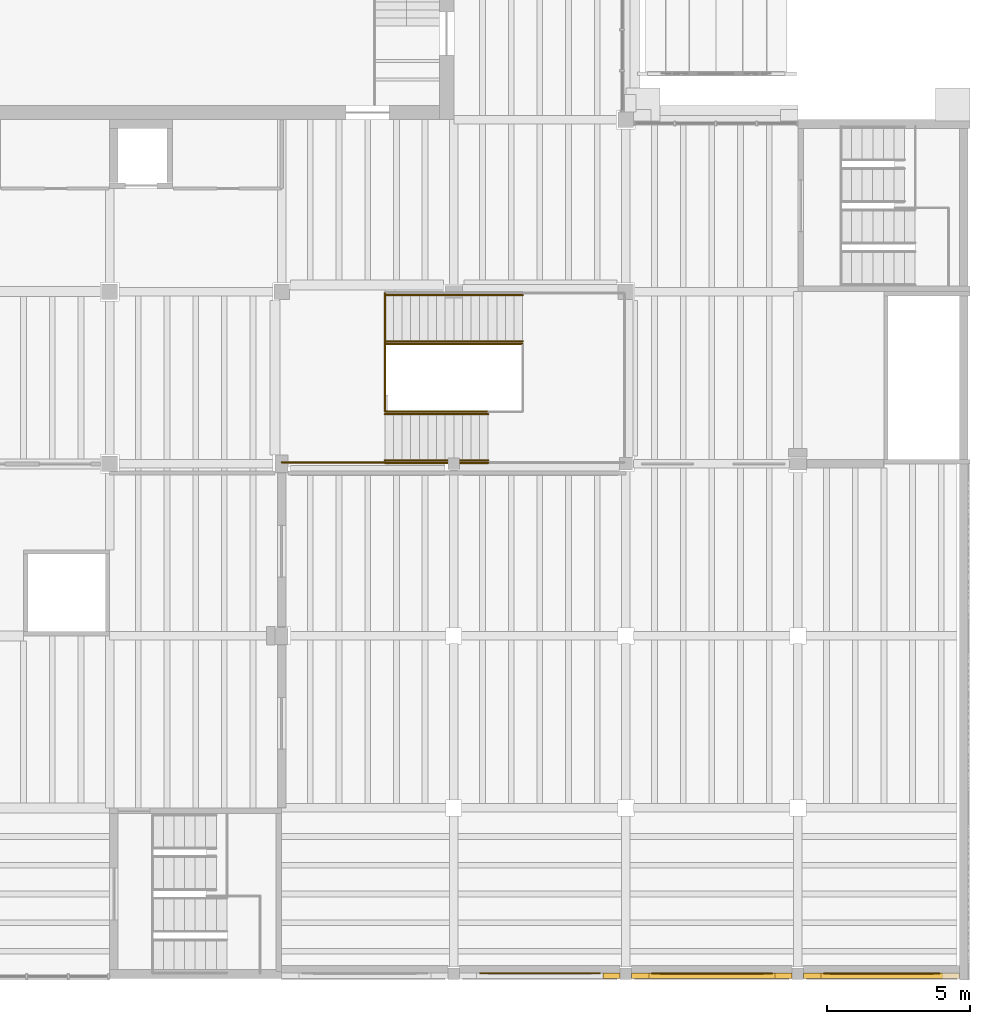
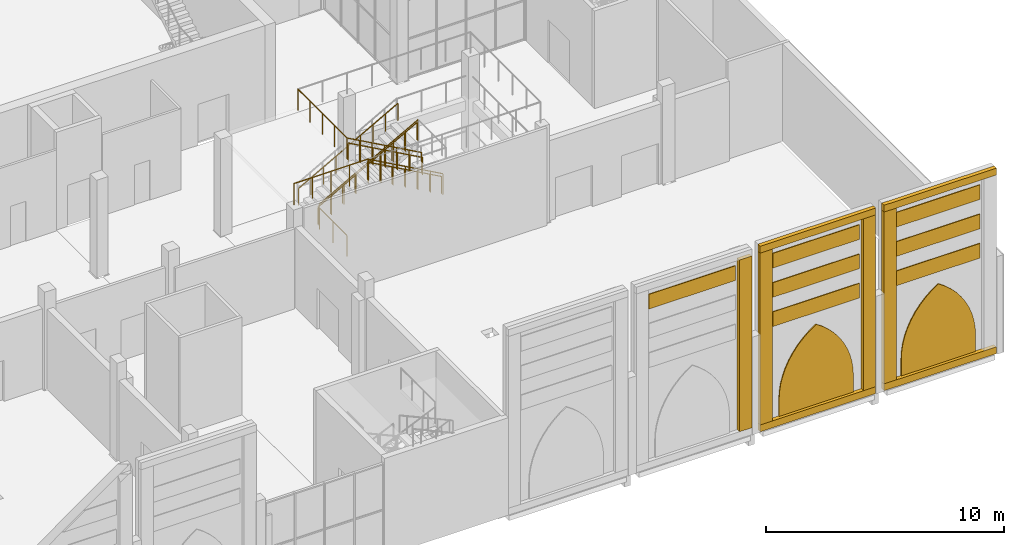
# One storey, part 61 of 80: 17 coverings, 10 railings.
"""IFC4 building model written with IfcOpenShell, lengths in metres."""

from ifc_helpers import new_model, si_unit, direction, frame, origin, origin_2d, place, context, subcontext, project, spatial, polyline, rectangle, circle, outline, extrude, material, layer, layer_set, type_object, element, save


model = new_model("IFC4")

# Units and contexts
model_context = context("Model", 3, precision=1e-05, world=origin(), true_north=direction((0.0, 1.0)))
body_context = subcontext(model_context, "Body", "Model", "MODEL_VIEW")
ifc_project = project(units=[si_unit("LENGTHUNIT", "METRE"), si_unit("AREAUNIT", "SQUARE_METRE"), si_unit("VOLUMEUNIT", "CUBIC_METRE"), si_unit("PLANEANGLEUNIT", "RADIAN"), si_unit("MASSUNIT", "GRAM", prefix="KILO")], contexts=[model_context])

# Site, building, storey
site_placement = place(None, origin())
site = spatial("IfcSite", under=ifc_project, at=site_placement, CompositionType="ELEMENT")
building_placement = place(site_placement, origin())
building = spatial("IfcBuilding", under=site, at=building_placement, Name="Saffron Lane Theatres", CompositionType="ELEMENT")
storey_placement = place(building_placement, frame((0.0, 0.0, 7.0)))
storey = spatial("IfcBuildingStorey", under=building, at=storey_placement, Name="L01", CompositionType="ELEMENT", Elevation=7.0)

# Coverings
ifc_material_1 = material(Name="Masonry pale clay brick", Category="masonry")
ifc_layer_1 = layer(ifc_material_1, 0.050048828125)
ifc_layer_set_1 = layer_set([ifc_layer_1], Name="Masonry pale clay brick")
covering_type_1 = type_object("IfcCoveringType", Name="EX-ARCH PANEL BRICK 50", PredefinedType="CLADDING", material=ifc_layer_set_1)
covering_1_placement = place(storey_placement, frame((64.719970703125, 0.25, 1.199951171875), z_axis=(0.0, 1.0, 0.0), x_axis=(0.0, 0.0, -1.0)))
element("IfcCovering", 1, at=covering_1_placement, inside=storey, type_object=covering_type_1, Name="Blind arch panel 3", PredefinedType="CLADDING", context=body_context, shape_type="SweptSolid", body=[
    extrude(outline(polyline([(0.0, 0.0), (0.89990234375, 0.0), (0.89990234375, 3.599853515625), (0.0, 3.599853515625), (-0.385986328125, 3.580078125), (-0.76904296875, 3.52197265625), (-1.14306640625, 3.425048828125), (-1.506103515625, 3.2900390625), (-1.85302734375, 3.119873046875), (-2.18115234375, 2.9150390625), (-2.487060546875, 2.677978515625), (-2.76708984375, 2.410888671875), (-3.01904296875, 2.117919921875), (-3.239990234375, 1.800048828125), (-3.01904296875, 1.48193359375), (-2.76708984375, 1.18896484375), (-2.487060546875, 0.921875), (-2.18115234375, 0.68505859375), (-1.85302734375, 0.47998046875), (-1.506103515625, 0.31005859375), (-1.14306640625, 0.175048828125), (-0.76904296875, 0.077880859375), (-0.385986328125, 0.02001953125), (0.0, 0.0)])), origin(), (0.0, 0.0, -1.0), 0.050048828125),
])
covering_2_placement = place(storey_placement, frame((58.800048828125, 0.25, 1.199951171875), z_axis=(0.0, 1.0, 0.0), x_axis=(0.0, 0.0, -1.0)))
element("IfcCovering", 2, at=covering_2_placement, inside=storey, type_object=covering_type_1, Name="Blind arch panel 4", PredefinedType="CLADDING", context=body_context, shape_type="SweptSolid", body=[
    extrude(outline(polyline([(0.0, 0.0), (0.89990234375, 0.0), (0.89990234375, 3.60009765625), (0.0, 3.60009765625), (-0.385986328125, 3.580078125), (-0.76904296875, 3.52197265625), (-1.14306640625, 3.425048828125), (-1.506103515625, 3.2900390625), (-1.85302734375, 3.1201171875), (-2.18115234375, 2.9150390625), (-2.487060546875, 2.677978515625), (-2.76708984375, 2.4111328125), (-3.01904296875, 2.1181640625), (-3.239990234375, 1.800048828125), (-3.01904296875, 1.48193359375), (-2.76708984375, 1.18896484375), (-2.487060546875, 0.922119140625), (-2.18115234375, 0.68505859375), (-1.85302734375, 0.47998046875), (-1.506103515625, 0.31005859375), (-1.14306640625, 0.175048828125), (-0.76904296875, 0.078125), (-0.385986328125, 0.02001953125), (0.0, 0.0)])), origin(), (0.0, 0.0, -1.0), 0.050048828125),
])
ifc_material_2 = material(Name="Masonry sandstone", Category="masonry")
ifc_layer_2 = layer(ifc_material_2, 0.0400390625)
ifc_layer_set_2 = layer_set([ifc_layer_2], Name="Masonry sandstone")
covering_type_2 = type_object("IfcCoveringType", Name="EX-BANDING COURSE SANDSTONE 40", PredefinedType="CLADDING", material=ifc_layer_set_2)
for number, where, z_axis, x_axis, name in (
    (3, (62.919921875, 0.22998046875, 5.050048828125), (0.0, 0.0, 1.0), (-1.0, 0.0, 0.0), "Banding course L01"),
    (4, (62.919921875, 0.22998046875, 6.550048828125), (0.0, 0.0, 1.0), (-1.0, 0.0, 0.0), "Banding course L01"),
    (5, (62.919921875, 0.22998046875, 8.050048828125), (0.0, 0.0, 1.0), (-1.0, 0.0, 0.0), "Banding course L01"),
):
    element("IfcCovering", number, at=place(storey_placement, frame(where, z_axis=z_axis, x_axis=x_axis)), inside=storey, type_object=covering_type_2, Name=name, PredefinedType="CLADDING", context=body_context, shape_type="SweptSolid", body=[
        extrude(rectangle(XDim=4.0400390625, YDim=0.0400390625, at=origin_2d()), origin(), (0.0, 0.0, 1.0), 0.75),
    ])
for number, where, z_axis, x_axis, name in (
    (6, (57.0, 0.22998046875, 5.050048828125), (0.0, 0.0, 1.0), (-1.0, 0.0, 0.0), "Banding course L01"),
    (7, (57.0, 0.22998046875, 6.550048828125), (0.0, 0.0, 1.0), (-1.0, 0.0, 0.0), "Banding course L01"),
    (8, (57.0, 0.22998046875, 8.050048828125), (0.0, 0.0, 1.0), (-1.0, 0.0, 0.0), "Banding course L01"),
    (9, (51.0, 0.22998046875, 8.050048828125), (0.0, 0.0, 1.0), (-1.0, 0.0, 0.0), "Banding course L01"),
):
    element("IfcCovering", number, at=place(storey_placement, frame(where, z_axis=z_axis, x_axis=x_axis)), inside=storey, type_object=covering_type_2, Name=name, PredefinedType="CLADDING", context=body_context, shape_type="SweptSolid", body=[
        extrude(rectangle(XDim=4.199951171875, YDim=0.0400390625, at=origin_2d()), origin(), (0.0, 0.0, 1.0), 0.75),
    ])
ifc_material_3 = material(Name="Masonry sandstone", Category="masonry")
ifc_layer_3 = layer(ifc_material_3, 0.14990234375)
ifc_layer_set_3 = layer_set([ifc_layer_3], Name="Masonry sandstone")
covering_type_3 = type_object("IfcCoveringType", Name="EX-PILASTER STRIP SANDSTONE 600", PredefinedType="CLADDING", material=ifc_layer_set_3)
for number, where, z_axis, x_axis, name in (
    (10, (60.5, 0.155029296875, 0.35009765625), (0.0, 0.0, 1.0), (-1.0, 0.0, 0.0), "Pilaster strip L01"),
    (11, (59.5, 0.155029296875, 0.35009765625), (0.0, 0.0, 1.0), (-1.0, 0.0, 0.0), "Pilaster strip L01"),
    (12, (54.5, 0.155029296875, 0.35009765625), (0.0, 0.0, 1.0), (-1.0, 0.0, 0.0), "Pilaster strip L01"),
    (13, (53.5, 0.155029296875, 0.35009765625), (0.0, 0.0, 1.0), (-1.0, 0.0, 0.0), "Pilaster strip L01"),
):
    element("IfcCovering", number, at=place(storey_placement, frame(where, z_axis=z_axis, x_axis=x_axis)), inside=storey, type_object=covering_type_3, Name=name, PredefinedType="CLADDING", context=body_context, shape_type="SweptSolid", body=[
        extrude(rectangle(XDim=0.60009765625, YDim=0.18994140625, at=origin_2d()), origin(), (0.0, 0.0, 1.0), 8.800048828125),
    ])
ifc_material_4 = material(Name="Masonry sandstone", Category="masonry")
ifc_layer_4 = layer(ifc_material_4, 0.14990234375)
ifc_layer_set_4 = layer_set([ifc_layer_4], Name="Masonry sandstone")
covering_type_4 = type_object("IfcCoveringType", Name="EX-STRING COURSE AND CORNICE SANDSTONE 350", PredefinedType="CLADDING", material=ifc_layer_set_4)
for number, where, z_axis, x_axis, name in (
    (14, (62.919921875, 0.155029296875, 0.0), (0.0, 0.0, 1.0), (-1.0, 0.0, 0.0), "String course L01"),
    (15, (62.919921875, 0.155029296875, 9.14990234375), (0.0, 0.0, 1.0), (-1.0, 0.0, 0.0), "Cornice L01"),
):
    element("IfcCovering", number, at=place(storey_placement, frame(where, z_axis=z_axis, x_axis=x_axis)), inside=storey, type_object=covering_type_4, Name=name, PredefinedType="CLADDING", context=body_context, shape_type="SweptSolid", body=[
        extrude(rectangle(XDim=5.43994140625, YDim=0.18994140625, at=origin_2d()), origin(), (0.0, 0.0, 1.0), 0.35009765625),
    ])
for number, where, z_axis, x_axis, name in (
    (16, (57.0, 0.155029296875, 0.0), (0.0, 0.0, 1.0), (-1.0, 0.0, 0.0), "String course L01"),
    (17, (57.0, 0.155029296875, 9.14990234375), (0.0, 0.0, 1.0), (-1.0, 0.0, 0.0), "Cornice L01"),
):
    element("IfcCovering", number, at=place(storey_placement, frame(where, z_axis=z_axis, x_axis=x_axis)), inside=storey, type_object=covering_type_4, Name=name, PredefinedType="CLADDING", context=body_context, shape_type="SweptSolid", body=[
        extrude(rectangle(XDim=5.60009765625, YDim=0.18994140625, at=origin_2d()), origin(), (0.0, 0.0, 1.0), 0.35009765625),
    ])

# Railings
ifc_material_5 = material(Name="Steel Grade 350", Category="steel")
railing_type_1 = type_object("IfcRailingType", Name="VC-GUARD 1100", PredefinedType="GUARDRAIL", material=ifc_material_5)
railing_1_placement = place(storey_placement, frame((45.60009765625, 22.179931640625, 0.166748046875)))
element("IfcRailing", 18, at=railing_1_placement, inside=storey, type_object=railing_type_1, Name="Studio Foyer Stair flight guard 2.1b", PredefinedType="GUARDRAIL", context=body_context, shape_type="SweptSolid", body=[
    extrude(circle(Radius=0.02392578125, at=origin_2d()), frame((0.0, 0.0, 1.076171875), z_axis=(0.874157276122, 0.0, 0.485642931179), x_axis=(0.0, 1.0, 0.0)), (0.0, 0.0, 1.0), 0.686279296875),
    extrude(circle(Radius=0.02392578125, at=origin_2d()), frame((0.599853515625, 0.0, 1.4091796875), z_axis=(0.874241147926, 0.0, 0.485491931212), x_axis=(0.0, 1.0, 0.0)), (0.0, 0.0, 1.0), 0.6865234375),
    extrude(circle(Radius=0.02392578125, at=origin_2d()), frame((1.199951171875, 0.0, 1.74267578125), z_axis=(0.874006220275, 0.0, 0.485914732151), x_axis=(0.0, 1.0, 0.0)), (0.0, 0.0, 1.0), 0.686279296875),
    extrude(circle(Radius=0.02392578125, at=origin_2d()), frame((1.7998046875, 0.0, 2.076171875), z_axis=(0.874241147926, 0.0, 0.485491931212), x_axis=(0.0, 1.0, 0.0)), (0.0, 0.0, 1.0), 0.6865234375),
    extrude(circle(Radius=0.02392578125, at=origin_2d()), frame((2.39990234375, 0.0, 2.4091796875), z_axis=(0.874241147926, 0.0, 0.485491931212), x_axis=(0.0, 1.0, 0.0)), (0.0, 0.0, 1.0), 0.6865234375),
    extrude(circle(Radius=0.02392578125, at=origin_2d()), frame((3.0, 0.0, 2.74267578125), z_axis=(0.874006220275, 0.0, 0.485914732151), x_axis=(0.0, 1.0, 0.0)), (0.0, 0.0, 1.0), 0.686279296875),
    extrude(circle(Radius=0.02392578125, at=origin_2d()), frame((3.599853515625, 0.0, 3.076171875), z_axis=(0.874241147926, 0.0, 0.485491931212), x_axis=(0.0, 1.0, 0.0)), (0.0, 0.0, 1.0), 0.6865234375),
    extrude(circle(Radius=0.02392578125, at=origin_2d()), frame((4.199951171875, 0.0, 3.4091796875), z_axis=(0.874157276122, 0.0, 0.485642931179), x_axis=(0.0, 1.0, 0.0)), (0.0, 0.0, 1.0), 0.686279296875),
    extrude(circle(Radius=0.02099609375, at=origin_2d()), origin(), (0.0, 0.0, 1.0), 1.052001953125),
    extrude(circle(Radius=0.02099609375, at=origin_2d()), frame((0.599853515625, 0.0, 0.333251953125)), (0.0, 0.0, 1.0), 1.052001953125),
    extrude(circle(Radius=0.02099609375, at=origin_2d()), frame((1.199951171875, 0.0, 0.66650390625)), (0.0, 0.0, 1.0), 1.052001953125),
    extrude(circle(Radius=0.02099609375, at=origin_2d()), frame((1.7998046875, 0.0, 1.0)), (0.0, 0.0, 1.0), 1.052001953125),
    extrude(circle(Radius=0.02099609375, at=origin_2d()), frame((2.39990234375, 0.0, 1.333251953125)), (0.0, 0.0, 1.0), 1.052001953125),
    extrude(circle(Radius=0.02099609375, at=origin_2d()), frame((3.0, 0.0, 1.66650390625)), (0.0, 0.0, 1.0), 1.052001953125),
    extrude(circle(Radius=0.02099609375, at=origin_2d()), frame((3.599853515625, 0.0, 2.0)), (0.0, 0.0, 1.0), 1.052001953125),
    extrude(circle(Radius=0.02099609375, at=origin_2d()), frame((4.199951171875, 0.0, 2.333251953125)), (0.0, 0.0, 1.0), 1.052001953125),
    extrude(circle(Radius=0.02099609375, at=origin_2d()), frame((4.7998046875, 0.0, 2.66650390625)), (0.0, 0.0, 1.0), 1.052001953125),
])
railing_2_placement = place(storey_placement, frame((49.199951171875, 19.820068359375, 3.0)))
element("IfcRailing", 19, at=railing_2_placement, inside=storey, type_object=railing_type_1, Name="Studio Foyer Stair flight guard 2.2a", PredefinedType="GUARDRAIL", context=body_context, shape_type="SweptSolid", body=[
    extrude(circle(Radius=0.02392578125, at=origin_2d()), frame((0.0, 0.0, 1.076171875), z_axis=(-0.874157276122, 0.0, 0.485642931179), x_axis=(0.0, -1.0, 0.0)), (0.0, 0.0, 1.0), 0.686279296875),
    extrude(circle(Radius=0.02392578125, at=origin_2d()), frame((-0.599853515625, 0.0, 1.4091796875), z_axis=(-0.874090171491, 0.0, 0.485763699861), x_axis=(0.0, -1.0, 0.0)), (0.0, 0.0, 1.0), 0.6865234375),
    extrude(circle(Radius=0.02392578125, at=origin_2d()), frame((-1.199951171875, 0.0, 1.74267578125), z_axis=(-0.874241147926, 0.0, 0.485491931212), x_axis=(0.0, -1.0, 0.0)), (0.0, 0.0, 1.0), 0.6865234375),
    extrude(circle(Radius=0.02392578125, at=origin_2d()), frame((-1.800048828125, 0.0, 2.076171875), z_axis=(-0.874157276122, 0.0, 0.485642931179), x_axis=(0.0, -1.0, 0.0)), (0.0, 0.0, 1.0), 0.686279296875),
    extrude(circle(Radius=0.02392578125, at=origin_2d()), frame((-2.39990234375, 0.0, 2.4091796875), z_axis=(-0.874090171491, 0.0, 0.485763699861), x_axis=(0.0, -1.0, 0.0)), (0.0, 0.0, 1.0), 0.6865234375),
    extrude(circle(Radius=0.02392578125, at=origin_2d()), frame((-3.0, 0.0, 2.74267578125), z_axis=(-0.874157276122, 0.0, 0.485642931179), x_axis=(0.0, -1.0, 0.0)), (0.0, 0.0, 1.0), 0.686279296875),
    extrude(circle(Radius=0.02099609375, at=origin_2d()), origin(), (0.0, 0.0, 1.0), 1.052001953125),
    extrude(circle(Radius=0.02099609375, at=origin_2d()), frame((-0.599853515625, 0.0, 0.333251953125)), (0.0, 0.0, 1.0), 1.052001953125),
    extrude(circle(Radius=0.02099609375, at=origin_2d()), frame((-1.199951171875, 0.0, 0.666748046875)), (0.0, 0.0, 1.0), 1.052001953125),
    extrude(circle(Radius=0.02099609375, at=origin_2d()), frame((-1.800048828125, 0.0, 1.0)), (0.0, 0.0, 1.0), 1.052001953125),
    extrude(circle(Radius=0.02099609375, at=origin_2d()), frame((-2.39990234375, 0.0, 1.333251953125)), (0.0, 0.0, 1.0), 1.052001953125),
    extrude(circle(Radius=0.02099609375, at=origin_2d()), frame((-3.0, 0.0, 1.666748046875)), (0.0, 0.0, 1.0), 1.052001953125),
    extrude(circle(Radius=0.02099609375, at=origin_2d()), frame((-3.599853515625, 0.0, 2.0)), (0.0, 0.0, 1.0), 1.052001953125),
])
railing_3_placement = place(storey_placement, frame((49.199951171875, 18.030029296875, 3.0)))
element("IfcRailing", 20, at=railing_3_placement, inside=storey, type_object=railing_type_1, Name="Studio Foyer Stair flight guard 2.2b", PredefinedType="GUARDRAIL", context=body_context, shape_type="SweptSolid", body=[
    extrude(circle(Radius=0.02392578125, at=origin_2d()), frame((0.0, 0.0, 1.076171875), z_axis=(-0.874157276122, 0.0, 0.485642931179), x_axis=(0.0, -1.0, 0.0)), (0.0, 0.0, 1.0), 0.686279296875),
    extrude(circle(Radius=0.02392578125, at=origin_2d()), frame((-0.599853515625, 0.0, 1.4091796875), z_axis=(-0.874090171491, 0.0, 0.485763699861), x_axis=(0.0, -1.0, 0.0)), (0.0, 0.0, 1.0), 0.6865234375),
    extrude(circle(Radius=0.02392578125, at=origin_2d()), frame((-1.199951171875, 0.0, 1.74267578125), z_axis=(-0.874241147926, 0.0, 0.485491931212), x_axis=(0.0, -1.0, 0.0)), (0.0, 0.0, 1.0), 0.6865234375),
    extrude(circle(Radius=0.02392578125, at=origin_2d()), frame((-1.800048828125, 0.0, 2.076171875), z_axis=(-0.874157276122, 0.0, 0.485642931179), x_axis=(0.0, -1.0, 0.0)), (0.0, 0.0, 1.0), 0.686279296875),
    extrude(circle(Radius=0.02392578125, at=origin_2d()), frame((-2.39990234375, 0.0, 2.4091796875), z_axis=(-0.874090171491, 0.0, 0.485763699861), x_axis=(0.0, -1.0, 0.0)), (0.0, 0.0, 1.0), 0.6865234375),
    extrude(circle(Radius=0.02392578125, at=origin_2d()), frame((-3.0, 0.0, 2.74267578125), z_axis=(-0.874157276122, 0.0, 0.485642931179), x_axis=(0.0, -1.0, 0.0)), (0.0, 0.0, 1.0), 0.686279296875),
    extrude(circle(Radius=0.02099609375, at=origin_2d()), origin(), (0.0, 0.0, 1.0), 1.052001953125),
    extrude(circle(Radius=0.02099609375, at=origin_2d()), frame((-0.599853515625, 0.0, 0.333251953125)), (0.0, 0.0, 1.0), 1.052001953125),
    extrude(circle(Radius=0.02099609375, at=origin_2d()), frame((-1.199951171875, 0.0, 0.666748046875)), (0.0, 0.0, 1.0), 1.052001953125),
    extrude(circle(Radius=0.02099609375, at=origin_2d()), frame((-1.800048828125, 0.0, 1.0)), (0.0, 0.0, 1.0), 1.052001953125),
    extrude(circle(Radius=0.02099609375, at=origin_2d()), frame((-2.39990234375, 0.0, 1.333251953125)), (0.0, 0.0, 1.0), 1.052001953125),
    extrude(circle(Radius=0.02099609375, at=origin_2d()), frame((-3.0, 0.0, 1.666748046875)), (0.0, 0.0, 1.0), 1.052001953125),
    extrude(circle(Radius=0.02099609375, at=origin_2d()), frame((-3.599853515625, 0.0, 2.0)), (0.0, 0.0, 1.0), 1.052001953125),
])
railing_4_placement = place(storey_placement, frame((45.60009765625, 22.14990234375, 0.0)))
element("IfcRailing", 21, at=railing_4_placement, inside=storey, type_object=railing_type_1, Name="Studio Foyer Stair landing guard 2s-L01-1", PredefinedType="GUARDRAIL", context=body_context, shape_type="SweptSolid", body=[
    extrude(circle(Radius=0.02392578125, at=origin_2d()), frame((0.0, 0.0, 1.076171875), z_axis=(0.0, -1.0, 0.0), x_axis=(1.0, 0.0, 0.0)), (0.0, 0.0, 1.0), 2.2998046875),
    extrude(circle(Radius=0.02099609375, at=origin_2d()), origin(), (0.0, 0.0, 1.0), 1.052001953125),
    extrude(circle(Radius=0.02099609375, at=origin_2d()), frame((0.0, -1.14990234375, 0.0)), (0.0, 0.0, 1.0), 1.052001953125),
    extrude(circle(Radius=0.02099609375, at=origin_2d()), frame((0.0, -2.2998046875, 0.0)), (0.0, 0.0, 1.0), 1.052001953125),
])
railing_5_placement = place(storey_placement, frame((45.60009765625, 23.949951171875, 5.0)))
element("IfcRailing", 22, at=railing_5_placement, inside=storey, type_object=railing_type_1, Name="Studio Foyer Stair landing guard 2s-L02-1", PredefinedType="GUARDRAIL", context=body_context, shape_type="SweptSolid", body=[
    extrude(circle(Radius=0.02392578125, at=origin_2d()), frame((0.0, 0.0, 1.076171875), z_axis=(0.0, -1.0, 0.0), x_axis=(1.0, 0.0, 0.0)), (0.0, 0.0, 1.0), 4.099853515625),
    extrude(circle(Radius=0.02099609375, at=origin_2d()), origin(), (0.0, 0.0, 1.0), 1.052001953125),
    extrude(circle(Radius=0.02099609375, at=origin_2d()), frame((0.0, -1.02490234375, 0.0)), (0.0, 0.0, 1.0), 1.052001953125),
    extrude(circle(Radius=0.02099609375, at=origin_2d()), frame((0.0, -2.0498046875, 0.0)), (0.0, 0.0, 1.0), 1.052001953125),
    extrude(circle(Radius=0.02099609375, at=origin_2d()), frame((0.0, -3.074951171875, 0.0)), (0.0, 0.0, 1.0), 1.052001953125),
    extrude(circle(Radius=0.02099609375, at=origin_2d()), frame((0.0, -4.099853515625, 0.0)), (0.0, 0.0, 1.0), 1.052001953125),
])
railing_6_placement = place(storey_placement, frame((42.0, 18.050048828125, 5.0)))
element("IfcRailing", 23, at=railing_6_placement, inside=storey, type_object=railing_type_1, Name="Studio Foyer Stair landing guard 2l-e-L02", PredefinedType="GUARDRAIL", context=body_context, shape_type="SweptSolid", body=[
    extrude(circle(Radius=0.02392578125, at=origin_2d()), frame((0.0, 0.0, 1.076171875), z_axis=(1.0, 0.0, 0.0), x_axis=(0.0, 1.0, 0.0)), (0.0, 0.0, 1.0), 3.60009765625),
    extrude(circle(Radius=0.02099609375, at=origin_2d()), origin(), (0.0, 0.0, 1.0), 1.052001953125),
    extrude(circle(Radius=0.02099609375, at=origin_2d()), frame((0.89990234375, 0.0, 0.0)), (0.0, 0.0, 1.0), 1.052001953125),
    extrude(circle(Radius=0.02099609375, at=origin_2d()), frame((1.800048828125, 0.0, 0.0)), (0.0, 0.0, 1.0), 1.052001953125),
    extrude(circle(Radius=0.02099609375, at=origin_2d()), frame((2.7001953125, 0.0, 0.0)), (0.0, 0.0, 1.0), 1.052001953125),
    extrude(circle(Radius=0.02099609375, at=origin_2d()), frame((3.60009765625, 0.0, 0.0)), (0.0, 0.0, 1.0), 1.052001953125),
])
ifc_material_6 = material(Name="Steel Grade 350", Category="steel")
railing_type_2 = type_object("IfcRailingType", Name="VC-HANDRAIL 900", PredefinedType="HANDRAIL", material=ifc_material_6)
railing_7_placement = place(storey_placement, frame((45.60009765625, 23.8798828125, 0.166748046875)))
element("IfcRailing", 24, at=railing_7_placement, inside=storey, type_object=railing_type_2, Name="Studio Foyer Stair handrail 2.1a", PredefinedType="HANDRAIL", context=body_context, shape_type="SweptSolid", body=[
    extrude(circle(Radius=0.02392578125, at=origin_2d()), frame((0.0, 0.0, 0.8759765625), z_axis=(0.874157276122, 0.0, 0.485642931179), x_axis=(0.0, 1.0, 0.0)), (0.0, 0.0, 1.0), 0.686279296875),
    extrude(circle(Radius=0.02392578125, at=origin_2d()), frame((0.599853515625, 0.0, 1.208984375), z_axis=(0.874241147926, 0.0, 0.485491931212), x_axis=(0.0, 1.0, 0.0)), (0.0, 0.0, 1.0), 0.6865234375),
    extrude(circle(Radius=0.02392578125, at=origin_2d()), frame((1.199951171875, 0.0, 1.54248046875), z_axis=(0.874006220275, 0.0, 0.485914732151), x_axis=(0.0, 1.0, 0.0)), (0.0, 0.0, 1.0), 0.686279296875),
    extrude(circle(Radius=0.02392578125, at=origin_2d()), frame((1.7998046875, 0.0, 1.8759765625), z_axis=(0.874241147926, 0.0, 0.485491931212), x_axis=(0.0, 1.0, 0.0)), (0.0, 0.0, 1.0), 0.6865234375),
    extrude(circle(Radius=0.02392578125, at=origin_2d()), frame((2.39990234375, 0.0, 2.208984375), z_axis=(0.874241147926, 0.0, 0.485491931212), x_axis=(0.0, 1.0, 0.0)), (0.0, 0.0, 1.0), 0.6865234375),
    extrude(circle(Radius=0.02392578125, at=origin_2d()), frame((3.0, 0.0, 2.54248046875), z_axis=(0.874006220275, 0.0, 0.485914732151), x_axis=(0.0, 1.0, 0.0)), (0.0, 0.0, 1.0), 0.686279296875),
    extrude(circle(Radius=0.02392578125, at=origin_2d()), frame((3.599853515625, 0.0, 2.8759765625), z_axis=(0.874241147926, 0.0, 0.485491931212), x_axis=(0.0, 1.0, 0.0)), (0.0, 0.0, 1.0), 0.6865234375),
    extrude(circle(Radius=0.02392578125, at=origin_2d()), frame((4.199951171875, 0.0, 3.208984375), z_axis=(0.874157276122, 0.0, 0.485642931179), x_axis=(0.0, 1.0, 0.0)), (0.0, 0.0, 1.0), 0.686279296875),
    extrude(circle(Radius=0.02099609375, at=origin_2d()), origin(), (0.0, 0.0, 1.0), 0.851806640625),
    extrude(circle(Radius=0.02099609375, at=origin_2d()), frame((0.599853515625, 0.0, 0.333251953125)), (0.0, 0.0, 1.0), 0.851806640625),
    extrude(circle(Radius=0.02099609375, at=origin_2d()), frame((1.199951171875, 0.0, 0.66650390625)), (0.0, 0.0, 1.0), 0.851806640625),
    extrude(circle(Radius=0.02099609375, at=origin_2d()), frame((1.7998046875, 0.0, 1.0)), (0.0, 0.0, 1.0), 0.851806640625),
    extrude(circle(Radius=0.02099609375, at=origin_2d()), frame((2.39990234375, 0.0, 1.333251953125)), (0.0, 0.0, 1.0), 0.851806640625),
    extrude(circle(Radius=0.02099609375, at=origin_2d()), frame((3.0, 0.0, 1.66650390625)), (0.0, 0.0, 1.0), 0.851806640625),
    extrude(circle(Radius=0.02099609375, at=origin_2d()), frame((3.599853515625, 0.0, 2.0)), (0.0, 0.0, 1.0), 0.851806640625),
    extrude(circle(Radius=0.02099609375, at=origin_2d()), frame((4.199951171875, 0.0, 2.333251953125)), (0.0, 0.0, 1.0), 0.851806640625),
    extrude(circle(Radius=0.02099609375, at=origin_2d()), frame((4.7998046875, 0.0, 2.66650390625)), (0.0, 0.0, 1.0), 0.851806640625),
])
railing_8_placement = place(storey_placement, frame((45.60009765625, 22.27001953125, 0.166748046875)))
element("IfcRailing", 25, at=railing_8_placement, inside=storey, type_object=railing_type_2, Name="Studio Foyer Stair handrail 2.1b", PredefinedType="HANDRAIL", context=body_context, shape_type="SweptSolid", body=[
    extrude(circle(Radius=0.02392578125, at=origin_2d()), frame((0.0, 0.0, 0.8759765625), z_axis=(0.874157276122, 0.0, 0.485642931179), x_axis=(0.0, 1.0, 0.0)), (0.0, 0.0, 1.0), 0.686279296875),
    extrude(circle(Radius=0.02392578125, at=origin_2d()), frame((0.599853515625, 0.0, 1.208984375), z_axis=(0.874241147926, 0.0, 0.485491931212), x_axis=(0.0, 1.0, 0.0)), (0.0, 0.0, 1.0), 0.6865234375),
    extrude(circle(Radius=0.02392578125, at=origin_2d()), frame((1.199951171875, 0.0, 1.54248046875), z_axis=(0.874006220275, 0.0, 0.485914732151), x_axis=(0.0, 1.0, 0.0)), (0.0, 0.0, 1.0), 0.686279296875),
    extrude(circle(Radius=0.02392578125, at=origin_2d()), frame((1.7998046875, 0.0, 1.8759765625), z_axis=(0.874241147926, 0.0, 0.485491931212), x_axis=(0.0, 1.0, 0.0)), (0.0, 0.0, 1.0), 0.6865234375),
    extrude(circle(Radius=0.02392578125, at=origin_2d()), frame((2.39990234375, 0.0, 2.208984375), z_axis=(0.874241147926, 0.0, 0.485491931212), x_axis=(0.0, 1.0, 0.0)), (0.0, 0.0, 1.0), 0.6865234375),
    extrude(circle(Radius=0.02392578125, at=origin_2d()), frame((3.0, 0.0, 2.54248046875), z_axis=(0.874006220275, 0.0, 0.485914732151), x_axis=(0.0, 1.0, 0.0)), (0.0, 0.0, 1.0), 0.686279296875),
    extrude(circle(Radius=0.02392578125, at=origin_2d()), frame((3.599853515625, 0.0, 2.8759765625), z_axis=(0.874241147926, 0.0, 0.485491931212), x_axis=(0.0, 1.0, 0.0)), (0.0, 0.0, 1.0), 0.6865234375),
    extrude(circle(Radius=0.02392578125, at=origin_2d()), frame((4.199951171875, 0.0, 3.208984375), z_axis=(0.874157276122, 0.0, 0.485642931179), x_axis=(0.0, 1.0, 0.0)), (0.0, 0.0, 1.0), 0.686279296875),
    extrude(circle(Radius=0.02099609375, at=origin_2d()), origin(), (0.0, 0.0, 1.0), 0.851806640625),
    extrude(circle(Radius=0.02099609375, at=origin_2d()), frame((0.599853515625, 0.0, 0.333251953125)), (0.0, 0.0, 1.0), 0.851806640625),
    extrude(circle(Radius=0.02099609375, at=origin_2d()), frame((1.199951171875, 0.0, 0.66650390625)), (0.0, 0.0, 1.0), 0.851806640625),
    extrude(circle(Radius=0.02099609375, at=origin_2d()), frame((1.7998046875, 0.0, 1.0)), (0.0, 0.0, 1.0), 0.851806640625),
    extrude(circle(Radius=0.02099609375, at=origin_2d()), frame((2.39990234375, 0.0, 1.333251953125)), (0.0, 0.0, 1.0), 0.851806640625),
    extrude(circle(Radius=0.02099609375, at=origin_2d()), frame((3.0, 0.0, 1.66650390625)), (0.0, 0.0, 1.0), 0.851806640625),
    extrude(circle(Radius=0.02099609375, at=origin_2d()), frame((3.599853515625, 0.0, 2.0)), (0.0, 0.0, 1.0), 0.851806640625),
    extrude(circle(Radius=0.02099609375, at=origin_2d()), frame((4.199951171875, 0.0, 2.333251953125)), (0.0, 0.0, 1.0), 0.851806640625),
    extrude(circle(Radius=0.02099609375, at=origin_2d()), frame((4.7998046875, 0.0, 2.66650390625)), (0.0, 0.0, 1.0), 0.851806640625),
])
railing_9_placement = place(storey_placement, frame((49.199951171875, 19.72998046875, 3.0)))
element("IfcRailing", 26, at=railing_9_placement, inside=storey, type_object=railing_type_2, Name="Studio Foyer Stair handrail 2.2a", PredefinedType="HANDRAIL", context=body_context, shape_type="SweptSolid", body=[
    extrude(circle(Radius=0.02392578125, at=origin_2d()), frame((0.0, 0.0, 0.8759765625), z_axis=(-0.874157276122, 0.0, 0.485642931179), x_axis=(0.0, -1.0, 0.0)), (0.0, 0.0, 1.0), 0.686279296875),
    extrude(circle(Radius=0.02392578125, at=origin_2d()), frame((-0.599853515625, 0.0, 1.208984375), z_axis=(-0.874090171491, 0.0, 0.485763699861), x_axis=(0.0, -1.0, 0.0)), (0.0, 0.0, 1.0), 0.6865234375),
    extrude(circle(Radius=0.02392578125, at=origin_2d()), frame((-1.199951171875, 0.0, 1.54248046875), z_axis=(-0.874241147926, 0.0, 0.485491931212), x_axis=(0.0, -1.0, 0.0)), (0.0, 0.0, 1.0), 0.6865234375),
    extrude(circle(Radius=0.02392578125, at=origin_2d()), frame((-1.800048828125, 0.0, 1.8759765625), z_axis=(-0.874157276122, 0.0, 0.485642931179), x_axis=(0.0, -1.0, 0.0)), (0.0, 0.0, 1.0), 0.686279296875),
    extrude(circle(Radius=0.02392578125, at=origin_2d()), frame((-2.39990234375, 0.0, 2.208984375), z_axis=(-0.874090171491, 0.0, 0.485763699861), x_axis=(0.0, -1.0, 0.0)), (0.0, 0.0, 1.0), 0.6865234375),
    extrude(circle(Radius=0.02392578125, at=origin_2d()), frame((-3.0, 0.0, 2.54248046875), z_axis=(-0.874157276122, 0.0, 0.485642931179), x_axis=(0.0, -1.0, 0.0)), (0.0, 0.0, 1.0), 0.686279296875),
    extrude(circle(Radius=0.02099609375, at=origin_2d()), origin(), (0.0, 0.0, 1.0), 0.851806640625),
    extrude(circle(Radius=0.02099609375, at=origin_2d()), frame((-0.599853515625, 0.0, 0.333251953125)), (0.0, 0.0, 1.0), 0.851806640625),
    extrude(circle(Radius=0.02099609375, at=origin_2d()), frame((-1.199951171875, 0.0, 0.666748046875)), (0.0, 0.0, 1.0), 0.851806640625),
    extrude(circle(Radius=0.02099609375, at=origin_2d()), frame((-1.800048828125, 0.0, 1.0)), (0.0, 0.0, 1.0), 0.851806640625),
    extrude(circle(Radius=0.02099609375, at=origin_2d()), frame((-2.39990234375, 0.0, 1.333251953125)), (0.0, 0.0, 1.0), 0.851806640625),
    extrude(circle(Radius=0.02099609375, at=origin_2d()), frame((-3.0, 0.0, 1.666748046875)), (0.0, 0.0, 1.0), 0.851806640625),
    extrude(circle(Radius=0.02099609375, at=origin_2d()), frame((-3.599853515625, 0.0, 2.0)), (0.0, 0.0, 1.0), 0.851806640625),
])
railing_10_placement = place(storey_placement, frame((49.199951171875, 18.1201171875, 3.0)))
element("IfcRailing", 27, at=railing_10_placement, inside=storey, type_object=railing_type_2, Name="Studio Foyer Stair handrail 2.2b", PredefinedType="HANDRAIL", context=body_context, shape_type="SweptSolid", body=[
    extrude(circle(Radius=0.02392578125, at=origin_2d()), frame((0.0, 0.0, 0.8759765625), z_axis=(-0.874157276122, 0.0, 0.485642931179), x_axis=(0.0, -1.0, 0.0)), (0.0, 0.0, 1.0), 0.686279296875),
    extrude(circle(Radius=0.02392578125, at=origin_2d()), frame((-0.599853515625, 0.0, 1.208984375), z_axis=(-0.874090171491, 0.0, 0.485763699861), x_axis=(0.0, -1.0, 0.0)), (0.0, 0.0, 1.0), 0.6865234375),
    extrude(circle(Radius=0.02392578125, at=origin_2d()), frame((-1.199951171875, 0.0, 1.54248046875), z_axis=(-0.874241147926, 0.0, 0.485491931212), x_axis=(0.0, -1.0, 0.0)), (0.0, 0.0, 1.0), 0.6865234375),
    extrude(circle(Radius=0.02392578125, at=origin_2d()), frame((-1.800048828125, 0.0, 1.8759765625), z_axis=(-0.874157276122, 0.0, 0.485642931179), x_axis=(0.0, -1.0, 0.0)), (0.0, 0.0, 1.0), 0.686279296875),
    extrude(circle(Radius=0.02392578125, at=origin_2d()), frame((-2.39990234375, 0.0, 2.208984375), z_axis=(-0.874090171491, 0.0, 0.485763699861), x_axis=(0.0, -1.0, 0.0)), (0.0, 0.0, 1.0), 0.6865234375),
    extrude(circle(Radius=0.02392578125, at=origin_2d()), frame((-3.0, 0.0, 2.54248046875), z_axis=(-0.874157276122, 0.0, 0.485642931179), x_axis=(0.0, -1.0, 0.0)), (0.0, 0.0, 1.0), 0.686279296875),
    extrude(circle(Radius=0.02099609375, at=origin_2d()), origin(), (0.0, 0.0, 1.0), 0.851806640625),
    extrude(circle(Radius=0.02099609375, at=origin_2d()), frame((-0.599853515625, 0.0, 0.333251953125)), (0.0, 0.0, 1.0), 0.851806640625),
    extrude(circle(Radius=0.02099609375, at=origin_2d()), frame((-1.199951171875, 0.0, 0.666748046875)), (0.0, 0.0, 1.0), 0.851806640625),
    extrude(circle(Radius=0.02099609375, at=origin_2d()), frame((-1.800048828125, 0.0, 1.0)), (0.0, 0.0, 1.0), 0.851806640625),
    extrude(circle(Radius=0.02099609375, at=origin_2d()), frame((-2.39990234375, 0.0, 1.333251953125)), (0.0, 0.0, 1.0), 0.851806640625),
    extrude(circle(Radius=0.02099609375, at=origin_2d()), frame((-3.0, 0.0, 1.666748046875)), (0.0, 0.0, 1.0), 0.851806640625),
    extrude(circle(Radius=0.02099609375, at=origin_2d()), frame((-3.599853515625, 0.0, 2.0)), (0.0, 0.0, 1.0), 0.851806640625),
])

save(model, "model.ifc")
